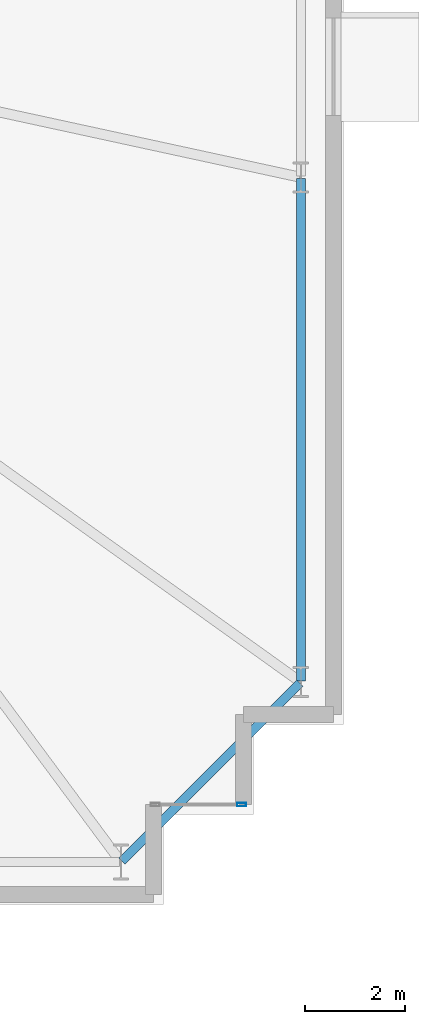
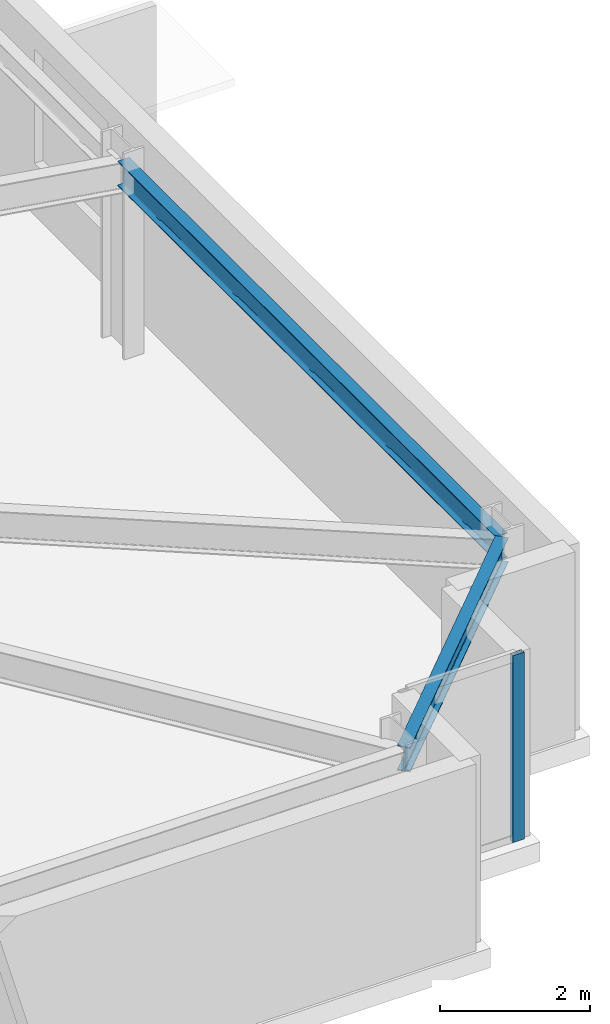
# One storey, part 10 of 21: 2 beams, 1 member, 1 element without a shape of its own.
"""IFC4 building model written with IfcOpenShell, lengths in metres."""

import ifcopenshell
import ifcopenshell.guid

model = None  # the IFC model being written
_history = None  # IfcOwnerHistory: only IFC2X3 demands one
_inside = {}  # id of a spatial element -> (the spatial element, [elements in it])
_under = {}  # id of a project, library or spatial element -> (it, [spatial elements below it])
_declared = {}  # id of a project -> (the project, [libraries it declares])
_typed = {}  # id of a type object -> (the type object, [elements of that type])
_made_of = {}  # id of a material, layer set ... -> (it, [elements and type objects made of it])


def new_model(schema):
    """Start an empty IFC model of exactly this schema.

    Asked for "IFC4X3", IfcOpenShell would pick the latest addendum, in which some entities
    have other attributes; the version numbers below select the first issue.
    IFC2X3 requires an IfcOwnerHistory on every rooted entity: one is made here for all.
    """
    global model, _history
    if schema == "IFC4X3":
        model = ifcopenshell.file(schema_version=(4, 3, 0, 0))
    else:
        model = ifcopenshell.file(schema=schema)
    _inside.clear()
    _under.clear()
    _declared.clear()
    _typed.clear()
    _made_of.clear()
    _history = None
    if model.schema == "IFC2X3":
        org = make("IfcOrganization", Name="unknown")
        user = make(
            "IfcPersonAndOrganization",
            ThePerson=make("IfcPerson", FamilyName="unknown"),
            TheOrganization=org,
        )
        app = make(
            "IfcApplication",
            ApplicationDeveloper=org,
            Version="unknown",
            ApplicationFullName="unknown",
            ApplicationIdentifier="unknown",
        )
        _history = make(
            "IfcOwnerHistory",
            OwningUser=user,
            OwningApplication=app,
            ChangeAction="ADDED",
            CreationDate=0,
        )
    return model


def make(cls, **values):
    """One entity of the class cls with the attributes given. An attribute that is None is left unset."""
    return model.create_entity(
        cls, **{name: value for name, value in values.items() if value is not None}
    )


def rooted(cls, **values):
    """An entity with a GlobalId (a new one), such as an element, a storey or a relation."""
    return make(cls, GlobalId=ifcopenshell.guid.new(), OwnerHistory=_history, **values)


def si_unit(unit_type, name, prefix=None):
    """IfcSIUnit, for example si_unit("LENGTHUNIT", "METRE", prefix="MILLI")."""
    return make("IfcSIUnit", UnitType=unit_type, Prefix=prefix, Name=name)


def assignment(units):
    """IfcUnitAssignment: the units of a project."""
    return None if units is None else make("IfcUnitAssignment", Units=units)


def point(xyz):
    """IfcCartesianPoint."""
    return None if xyz is None else make("IfcCartesianPoint", Coordinates=xyz)


def direction(xyz):
    """IfcDirection."""
    return None if xyz is None else make("IfcDirection", DirectionRatios=xyz)


def frame(location, z_axis=None, x_axis=None):
    """IfcAxis2Placement3D, a coordinate frame: its origin and axes. An axis left out is left unset."""
    return make(
        "IfcAxis2Placement3D",
        Location=point(location),
        Axis=direction(z_axis),
        RefDirection=direction(x_axis),
    )


def frame_2d(location, x_axis=None):
    """IfcAxis2Placement2D, a coordinate frame in the plane: its origin and x axis."""
    return make(
        "IfcAxis2Placement2D", Location=point(location), RefDirection=direction(x_axis)
    )


def origin():
    """The frame at (0, 0, 0) with its axes left unset."""
    return frame((0.0, 0.0, 0.0))


def origin_2d():
    """The frame at (0, 0) in the plane with its x axis left unset."""
    return frame_2d((0.0, 0.0))


def place(relative_to, where):
    """IfcLocalPlacement: puts the frame where relative to a parent placement (None: the world)."""
    return make(
        "IfcLocalPlacement", PlacementRelTo=relative_to, RelativePlacement=where
    )


def context(
    kind, dimensions, precision=None, world=None, true_north=None, identifier=None
):
    """IfcGeometricRepresentationContext, for example the 3D "Model" context."""
    return make(
        "IfcGeometricRepresentationContext",
        ContextIdentifier=identifier,
        ContextType=kind,
        CoordinateSpaceDimension=dimensions,
        Precision=precision,
        WorldCoordinateSystem=world,
        TrueNorth=true_north,
    )


def subcontext(parent, identifier, kind, view, scale=None):
    """IfcGeometricRepresentationSubContext, for example "Body" below "Model"."""
    return make(
        "IfcGeometricRepresentationSubContext",
        ContextIdentifier=identifier,
        ContextType=kind,
        ParentContext=parent,
        TargetScale=scale,
        TargetView=view,
    )


def project(units=None, contexts=None):
    """IfcProject with its units and contexts."""
    return rooted(
        "IfcProject",
        Name="project",
        RepresentationContexts=contexts,
        UnitsInContext=assignment(units),
    )


def spatial(cls, under=None, at=None, **own):
    """A site, building, storey or space (cls), placed at a placement, below another one or the project."""
    s = rooted(cls, ObjectPlacement=at, **own)
    if under is not None:
        _under.setdefault(under.id(), (under, []))[1].append(s)
    return s


def profile(cls, at=None, kind="AREA", **sizes):
    """A parametric profile (cls). Its sizes go by their IFC names, for example OverallWidth=200.0."""
    return make(cls, ProfileType=kind, Position=at, **sizes)


def hollow_rectangle(**sizes):
    """IfcRectangleHollowProfileDef."""
    return profile("IfcRectangleHollowProfileDef", **sizes)


def i_section(**sizes):
    """IfcIShapeProfileDef."""
    return profile("IfcIShapeProfileDef", **sizes)


def extrude(swept, where, along, depth):
    """IfcExtrudedAreaSolid: the profile swept, set in the frame where, extruded along a direction by depth."""
    return make(
        "IfcExtrudedAreaSolid",
        SweptArea=swept,
        Position=where,
        ExtrudedDirection=direction(along),
        Depth=depth,
    )


def shape(context_of_items, identifier, shape_type, items):
    """IfcShapeRepresentation: the items that make up one representation, for example the "Body"."""
    return make(
        "IfcShapeRepresentation",
        ContextOfItems=context_of_items,
        RepresentationIdentifier=identifier,
        RepresentationType=shape_type,
        Items=items,
    )


def material(Name=None, Category=None):
    """IfcMaterial."""
    return make("IfcMaterial", Name=Name, Category=Category)


def layer(
    of_material, thickness, ventilated=None, Name=None, Category=None, Priority=None
):
    """IfcMaterialLayer: one layer of a wall or slab, of a material (None: an air gap)."""
    return make(
        "IfcMaterialLayer",
        Material=of_material,
        LayerThickness=thickness,
        IsVentilated=ventilated,
        Name=Name,
        Category=Category,
        Priority=Priority,
    )


def layer_set(layers, Name=None):
    """IfcMaterialLayerSet."""
    return make("IfcMaterialLayerSet", MaterialLayers=layers, LayerSetName=Name)


def material_profile(
    of_material, cross_section, Name=None, Category=None, Priority=None
):
    """IfcMaterialProfile: a cross section and its material."""
    return make(
        "IfcMaterialProfile",
        Name=Name,
        Material=of_material,
        Profile=cross_section,
        Priority=Priority,
        Category=Category,
    )


def profile_set(profiles, Name=None, composite=None):
    """IfcMaterialProfileSet."""
    return make(
        "IfcMaterialProfileSet",
        Name=Name,
        MaterialProfiles=profiles,
        CompositeProfile=composite,
    )


def made_of(thing, what):
    """Note that an element or type object is made of a material, layer set ...; save() writes the relation."""
    if what is not None:
        _made_of.setdefault(what.id(), (what, []))[1].append(thing)
    return thing


def type_object(cls, material=None, **own):
    """A type object (cls), such as IfcWallType, which elements share."""
    return made_of(rooted(cls, **own), material)


def element(
    cls,
    number,
    at=None,
    inside=None,
    cuts=None,
    type_object=None,
    material=None,
    context=None,
    identifier="Body",
    shape_type=None,
    held_by="IfcProductDefinitionShape",
    body=None,
    shapes=None,
    **own,
):
    """One element of the class cls, such as IfcWall. Its Tag is "e" and its number.

    at: its placement. inside: the storey or other place that contains it. cuts: it is an
    opening in that element (IfcRelVoidsElement). A single representation is given by context,
    identifier, shape_type and body (its items); several are given by shapes. held_by: the class
    of the entity that holds the representations. save() writes the other relations.
    """
    e = rooted(cls, Tag="e%d" % number, ObjectPlacement=at, **own)
    if body is not None:
        shapes = [shape(context, identifier, shape_type, body)]
    if shapes is not None:
        e.Representation = make(held_by, Representations=shapes)
    if inside is not None:
        _inside.setdefault(inside.id(), (inside, []))[1].append(e)
    if cuts is not None:
        rooted(
            "IfcRelVoidsElement", RelatingBuildingElement=cuts, RelatedOpeningElement=e
        )
    if type_object is not None:
        _typed.setdefault(type_object.id(), (type_object, []))[1].append(e)
    return made_of(e, material)


def aggregate(whole, parts):
    """IfcRelAggregates: a whole, such as a stair, and the parts it consists of."""
    return rooted("IfcRelAggregates", RelatingObject=whole, RelatedObjects=parts)


def save(model, path):
    """Write the relations noted so far, then the file.

    IfcRelAggregates (storeys below a building ...), IfcRelContainedInSpatialStructure (elements
    in a storey), IfcRelDefinesByType, IfcRelAssociatesMaterial and IfcRelDeclares: one each for
    every whole, place, type object, material and project.
    """
    for whole, parts in _under.values():
        aggregate(whole, parts)
    for where, things in _inside.values():
        rooted(
            "IfcRelContainedInSpatialStructure",
            RelatedElements=things,
            RelatingStructure=where,
        )
    for kind, things in _typed.values():
        rooted("IfcRelDefinesByType", RelatedObjects=things, RelatingType=kind)
    for what, things in _made_of.values():
        rooted("IfcRelAssociatesMaterial", RelatedObjects=things, RelatingMaterial=what)
    for by, libraries in _declared.values():
        rooted("IfcRelDeclares", RelatingContext=by, RelatedDefinitions=libraries)
    model.write(path)


model = new_model("IFC4")

# Units and contexts
model_context = context("Model", 3, precision=1e-05, world=origin(), true_north=direction((0.0, 1.0)))
body_context = subcontext(model_context, "Body", "Model", "MODEL_VIEW")
ifc_project = project(units=[si_unit("LENGTHUNIT", "METRE"), si_unit("AREAUNIT", "SQUARE_METRE"), si_unit("VOLUMEUNIT", "CUBIC_METRE"), si_unit("PLANEANGLEUNIT", "RADIAN"), si_unit("MASSUNIT", "GRAM", prefix="KILO")], contexts=[model_context])

# Site, building, storey
site_placement = place(None, origin())
site = spatial("IfcSite", under=ifc_project, at=site_placement, CompositionType="ELEMENT")
building_placement = place(site_placement, origin())
building = spatial("IfcBuilding", under=site, at=building_placement, Name="Qobustan Lattice House", CompositionType="ELEMENT")
storey_placement = place(building_placement, frame((0.0, 0.0, 30.35009765625)))
storey = spatial("IfcBuildingStorey", under=building, at=storey_placement, Name="L07", CompositionType="ELEMENT", Elevation=30.35009765625)

# Beams
ifc_material_1 = material(Name="Steel S355", Category="steel")
ifc_material_profile_1 = material_profile(ifc_material_1, i_section(OverallWidth=0.179931640625, OverallDepth=0.39990234375, WebThickness=0.008544921875, FlangeThickness=0.013427734375, FilletRadius=0.02099609375, at=origin_2d()), Name="IPE400")
ifc_profile_set_1 = profile_set([ifc_material_profile_1], Name="Steel S355")
beam_type = type_object("IfcBeamType", Name="BM-SPD-IPE400", PredefinedType="SPANDREL", material=ifc_profile_set_1)
beam_1_placement = place(storey_placement, frame((28.567626953125, -18.732421875, 2.8349609375), z_axis=(0.707106781187, 0.707106781187, 0.0), x_axis=(-0.707106781187, 0.707106781187, 0.0)))
element("IfcBeam", 1, at=beam_1_placement, inside=storey, type_object=beam_type, Name="L07 perimeter spandrel S7-E1", PredefinedType="SPANDREL", context=body_context, shape_type="SweptSolid", body=[
    extrude(i_section(OverallWidth=0.179931640625, OverallDepth=0.39990234375, WebThickness=0.008544921875, FlangeThickness=0.013427734375, FilletRadius=0.02099609375, at=origin_2d()), origin(), (0.0, 0.0, 1.0), 5.041259765625),
])
beam_2_placement = place(storey_placement, frame((32.14990234375, -15.125, 2.8349609375), z_axis=(0.0, 1.0, 0.0), x_axis=(-1.0, 0.0, 0.0)))
element("IfcBeam", 2, at=beam_2_placement, inside=storey, type_object=beam_type, Name="L07 perimeter spandrel E1-E2", PredefinedType="SPANDREL", context=body_context, shape_type="SweptSolid", body=[
    extrude(i_section(OverallWidth=0.179931640625, OverallDepth=0.39990234375, WebThickness=0.008544921875, FlangeThickness=0.013427734375, FilletRadius=0.02099609375, at=origin_2d()), origin(), (0.0, 0.0, 1.0), 10.050048828125),
])

# Curtain wall, member
ifc_material_2 = material(Name="Anodised aluminium and low-E glazing", Category="aluminium")
ifc_layer = layer(ifc_material_2, 0.219970703125)
ifc_layer_set = layer_set([ifc_layer], Name="Anodised aluminium and low-E glazing")
curtain_wall_type = type_object("IfcCurtainWallType", Name="CW-FAC-01", PredefinedType="USERDEFINED", material=ifc_layer_set)
curtain_wall_placement = place(storey_placement, origin())
curtain_wall = element("IfcCurtainWall", 3, at=curtain_wall_placement, inside=storey, type_object=curtain_wall_type, Name="L07 serrated corner faceted glazing 18", ObjectType="CURTAIN WALL", PredefinedType="USERDEFINED")
ifc_material_3 = material(Name="Anodised aluminium EN AW-6063 T6", Category="aluminium")
ifc_material_profile_2 = material_profile(ifc_material_3, hollow_rectangle(XDim=0.070068359375, YDim=0.179931640625, WallThickness=0.00439453125, at=origin_2d()), Name="CWM-180x70")
ifc_profile_set_2 = profile_set([ifc_material_profile_2], Name="Anodised aluminium EN AW-6063 T6")
member_type = type_object("IfcMemberType", Name="CWM-STD-180", PredefinedType="MULLION", material=ifc_profile_set_2)
member_placement = place(storey_placement, frame((30.965087890625, -17.60009765625, 0.0), z_axis=(0.0, 0.0, 1.0), x_axis=(0.0, -1.0, 0.0)))
member = element("IfcMember", 4, at=member_placement, type_object=member_type, Name="CW-F1 mullion 1", PredefinedType="MULLION", context=body_context, shape_type="SweptSolid", body=[
    extrude(hollow_rectangle(XDim=0.070068359375, YDim=0.179931640625, WallThickness=0.00439453125, at=origin_2d()), origin(), (0.0, 0.0, 1.0), 3.034912109375),
])
aggregate(curtain_wall, [member])

save(model, "model.ifc")
